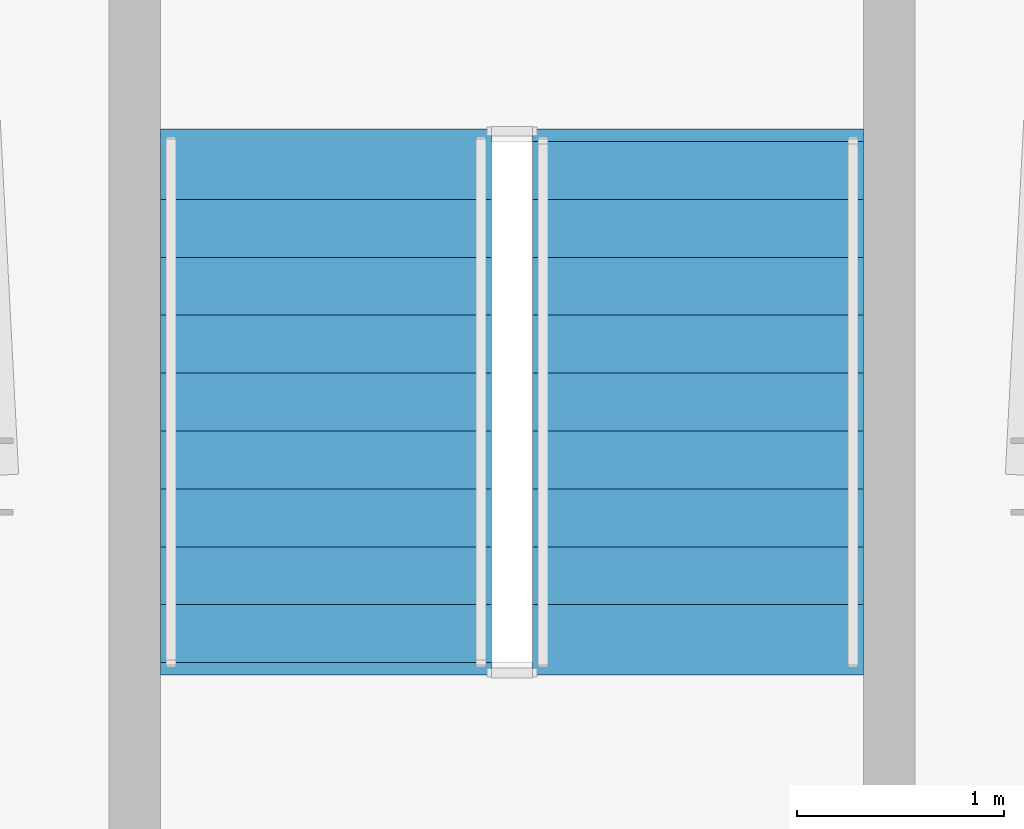
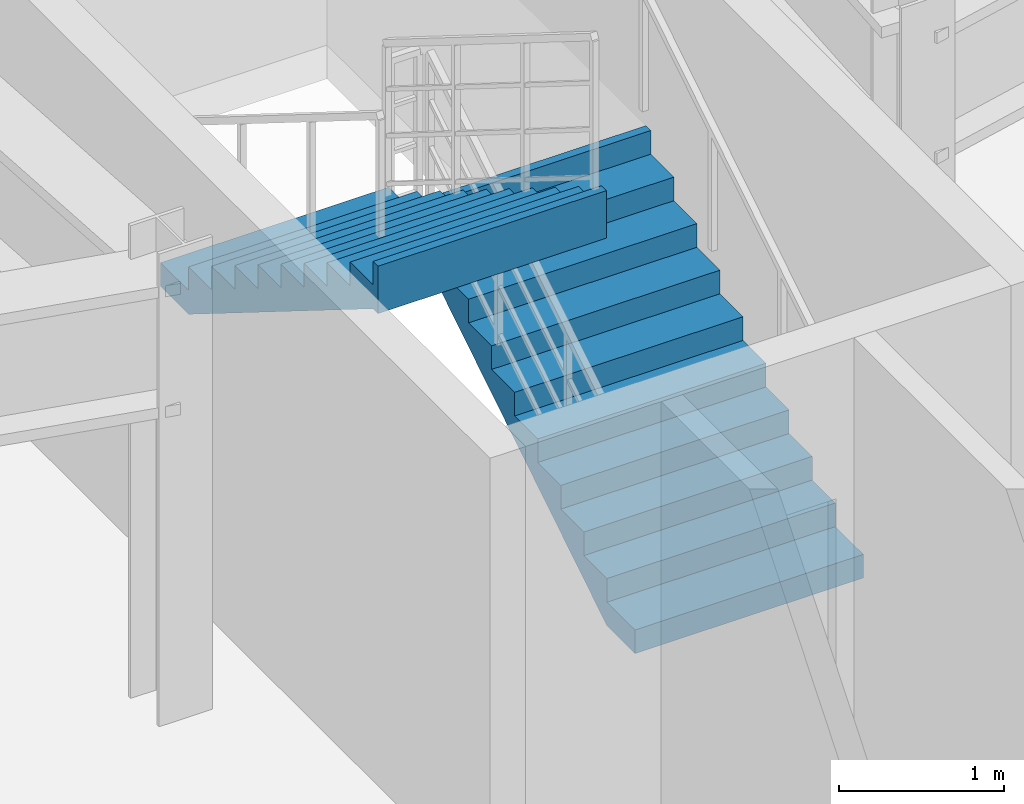
# One storey, part 11 of 12: 2 stair flights, 1 element without a shape of its own.
"""IFC4 building model written with IfcOpenShell, lengths in metres."""

import ifcopenshell
import ifcopenshell.guid

model = None  # the IFC model being written
_history = None  # IfcOwnerHistory: only IFC2X3 demands one
_inside = {}  # id of a spatial element -> (the spatial element, [elements in it])
_under = {}  # id of a project, library or spatial element -> (it, [spatial elements below it])
_declared = {}  # id of a project -> (the project, [libraries it declares])
_typed = {}  # id of a type object -> (the type object, [elements of that type])
_made_of = {}  # id of a material, layer set ... -> (it, [elements and type objects made of it])


def new_model(schema):
    """Start an empty IFC model of exactly this schema.

    Asked for "IFC4X3", IfcOpenShell would pick the latest addendum, in which some entities
    have other attributes; the version numbers below select the first issue.
    IFC2X3 requires an IfcOwnerHistory on every rooted entity: one is made here for all.
    """
    global model, _history
    if schema == "IFC4X3":
        model = ifcopenshell.file(schema_version=(4, 3, 0, 0))
    else:
        model = ifcopenshell.file(schema=schema)
    _inside.clear()
    _under.clear()
    _declared.clear()
    _typed.clear()
    _made_of.clear()
    _history = None
    if model.schema == "IFC2X3":
        org = make("IfcOrganization", Name="unknown")
        user = make(
            "IfcPersonAndOrganization",
            ThePerson=make("IfcPerson", FamilyName="unknown"),
            TheOrganization=org,
        )
        app = make(
            "IfcApplication",
            ApplicationDeveloper=org,
            Version="unknown",
            ApplicationFullName="unknown",
            ApplicationIdentifier="unknown",
        )
        _history = make(
            "IfcOwnerHistory",
            OwningUser=user,
            OwningApplication=app,
            ChangeAction="ADDED",
            CreationDate=0,
        )
    return model


def make(cls, **values):
    """One entity of the class cls with the attributes given. An attribute that is None is left unset."""
    return model.create_entity(
        cls, **{name: value for name, value in values.items() if value is not None}
    )


def rooted(cls, **values):
    """An entity with a GlobalId (a new one), such as an element, a storey or a relation."""
    return make(cls, GlobalId=ifcopenshell.guid.new(), OwnerHistory=_history, **values)


def si_unit(unit_type, name, prefix=None):
    """IfcSIUnit, for example si_unit("LENGTHUNIT", "METRE", prefix="MILLI")."""
    return make("IfcSIUnit", UnitType=unit_type, Prefix=prefix, Name=name)


def assignment(units):
    """IfcUnitAssignment: the units of a project."""
    return None if units is None else make("IfcUnitAssignment", Units=units)


def point(xyz):
    """IfcCartesianPoint."""
    return None if xyz is None else make("IfcCartesianPoint", Coordinates=xyz)


def direction(xyz):
    """IfcDirection."""
    return None if xyz is None else make("IfcDirection", DirectionRatios=xyz)


def frame(location, z_axis=None, x_axis=None):
    """IfcAxis2Placement3D, a coordinate frame: its origin and axes. An axis left out is left unset."""
    return make(
        "IfcAxis2Placement3D",
        Location=point(location),
        Axis=direction(z_axis),
        RefDirection=direction(x_axis),
    )


def origin():
    """The frame at (0, 0, 0) with its axes left unset."""
    return frame((0.0, 0.0, 0.0))


def place(relative_to, where):
    """IfcLocalPlacement: puts the frame where relative to a parent placement (None: the world)."""
    return make(
        "IfcLocalPlacement", PlacementRelTo=relative_to, RelativePlacement=where
    )


def context(
    kind, dimensions, precision=None, world=None, true_north=None, identifier=None
):
    """IfcGeometricRepresentationContext, for example the 3D "Model" context."""
    return make(
        "IfcGeometricRepresentationContext",
        ContextIdentifier=identifier,
        ContextType=kind,
        CoordinateSpaceDimension=dimensions,
        Precision=precision,
        WorldCoordinateSystem=world,
        TrueNorth=true_north,
    )


def subcontext(parent, identifier, kind, view, scale=None):
    """IfcGeometricRepresentationSubContext, for example "Body" below "Model"."""
    return make(
        "IfcGeometricRepresentationSubContext",
        ContextIdentifier=identifier,
        ContextType=kind,
        ParentContext=parent,
        TargetScale=scale,
        TargetView=view,
    )


def project(units=None, contexts=None):
    """IfcProject with its units and contexts."""
    return rooted(
        "IfcProject",
        Name="project",
        RepresentationContexts=contexts,
        UnitsInContext=assignment(units),
    )


def spatial(cls, under=None, at=None, **own):
    """A site, building, storey or space (cls), placed at a placement, below another one or the project."""
    s = rooted(cls, ObjectPlacement=at, **own)
    if under is not None:
        _under.setdefault(under.id(), (under, []))[1].append(s)
    return s


def polyline(points):
    """IfcPolyline through the points."""
    return make("IfcPolyline", Points=[point(p) for p in points])


def outline(outer, holes=None, kind="AREA"):
    """IfcArbitraryClosedProfileDef: a profile drawn as a closed curve; with holes, ...WithVoids."""
    if holes is None:
        return make("IfcArbitraryClosedProfileDef", ProfileType=kind, OuterCurve=outer)
    return make(
        "IfcArbitraryProfileDefWithVoids",
        ProfileType=kind,
        OuterCurve=outer,
        InnerCurves=holes,
    )


def extrude(swept, where, along, depth):
    """IfcExtrudedAreaSolid: the profile swept, set in the frame where, extruded along a direction by depth."""
    return make(
        "IfcExtrudedAreaSolid",
        SweptArea=swept,
        Position=where,
        ExtrudedDirection=direction(along),
        Depth=depth,
    )


def shape(context_of_items, identifier, shape_type, items):
    """IfcShapeRepresentation: the items that make up one representation, for example the "Body"."""
    return make(
        "IfcShapeRepresentation",
        ContextOfItems=context_of_items,
        RepresentationIdentifier=identifier,
        RepresentationType=shape_type,
        Items=items,
    )


def material(Name=None, Category=None):
    """IfcMaterial."""
    return make("IfcMaterial", Name=Name, Category=Category)


def made_of(thing, what):
    """Note that an element or type object is made of a material, layer set ...; save() writes the relation."""
    if what is not None:
        _made_of.setdefault(what.id(), (what, []))[1].append(thing)
    return thing


def type_object(cls, material=None, **own):
    """A type object (cls), such as IfcWallType, which elements share."""
    return made_of(rooted(cls, **own), material)


def element(
    cls,
    number,
    at=None,
    inside=None,
    cuts=None,
    type_object=None,
    material=None,
    context=None,
    identifier="Body",
    shape_type=None,
    held_by="IfcProductDefinitionShape",
    body=None,
    shapes=None,
    **own,
):
    """One element of the class cls, such as IfcWall. Its Tag is "e" and its number.

    at: its placement. inside: the storey or other place that contains it. cuts: it is an
    opening in that element (IfcRelVoidsElement). A single representation is given by context,
    identifier, shape_type and body (its items); several are given by shapes. held_by: the class
    of the entity that holds the representations. save() writes the other relations.
    """
    e = rooted(cls, Tag="e%d" % number, ObjectPlacement=at, **own)
    if body is not None:
        shapes = [shape(context, identifier, shape_type, body)]
    if shapes is not None:
        e.Representation = make(held_by, Representations=shapes)
    if inside is not None:
        _inside.setdefault(inside.id(), (inside, []))[1].append(e)
    if cuts is not None:
        rooted(
            "IfcRelVoidsElement", RelatingBuildingElement=cuts, RelatedOpeningElement=e
        )
    if type_object is not None:
        _typed.setdefault(type_object.id(), (type_object, []))[1].append(e)
    return made_of(e, material)


def aggregate(whole, parts):
    """IfcRelAggregates: a whole, such as a stair, and the parts it consists of."""
    return rooted("IfcRelAggregates", RelatingObject=whole, RelatedObjects=parts)


def save(model, path):
    """Write the relations noted so far, then the file.

    IfcRelAggregates (storeys below a building ...), IfcRelContainedInSpatialStructure (elements
    in a storey), IfcRelDefinesByType, IfcRelAssociatesMaterial and IfcRelDeclares: one each for
    every whole, place, type object, material and project.
    """
    for whole, parts in _under.values():
        aggregate(whole, parts)
    for where, things in _inside.values():
        rooted(
            "IfcRelContainedInSpatialStructure",
            RelatedElements=things,
            RelatingStructure=where,
        )
    for kind, things in _typed.values():
        rooted("IfcRelDefinesByType", RelatedObjects=things, RelatingType=kind)
    for what, things in _made_of.values():
        rooted("IfcRelAssociatesMaterial", RelatedObjects=things, RelatingMaterial=what)
    for by, libraries in _declared.values():
        rooted("IfcRelDeclares", RelatingContext=by, RelatedDefinitions=libraries)
    model.write(path)


model = new_model("IFC4")

# Units and contexts
model_context = context("Model", 3, precision=1e-05, world=origin(), true_north=direction((0.0, 1.0)))
body_context = subcontext(model_context, "Body", "Model", "MODEL_VIEW")
ifc_project = project(units=[si_unit("LENGTHUNIT", "METRE"), si_unit("AREAUNIT", "SQUARE_METRE"), si_unit("VOLUMEUNIT", "CUBIC_METRE"), si_unit("PLANEANGLEUNIT", "RADIAN"), si_unit("MASSUNIT", "GRAM", prefix="KILO")], contexts=[model_context])

# Site, building, storey
site_placement = place(None, origin())
site = spatial("IfcSite", under=ifc_project, at=site_placement, CompositionType="ELEMENT")
building_placement = place(site_placement, origin())
building = spatial("IfcBuilding", under=site, at=building_placement, Name="Varakhsha Concourse Tower", CompositionType="ELEMENT")
storey_placement = place(building_placement, frame((0.0, 0.0, 222.39990234375)))
storey = spatial("IfcBuildingStorey", under=building, at=storey_placement, Name="L63", CompositionType="ELEMENT", Elevation=222.39990234375)

# Stair, stair flights
ifc_material = material(Name="Concrete fc 45 MPa", Category="concrete")
stair_type = type_object("IfcStairType", Name="ST-DOGLEG-1600", PredefinedType="HALF_TURN_STAIR", material=ifc_material)
stair_placement = place(storey_placement, origin())
stair = element("IfcStair", 1, at=stair_placement, inside=storey, type_object=stair_type, Name="L63 Protected Exit Stair ST5", PredefinedType="HALF_TURN_STAIR")
stair_flight_type = type_object("IfcStairFlightType", Name="STF-1600-R1750", PredefinedType="STRAIGHT", material=ifc_material)
stair_flight_1_placement = place(storey_placement, frame((40.89990234375, 40.300048828125, 0.0), z_axis=(0.0, 0.0, 1.0), x_axis=(0.0, 1.0, 0.0)))
stair_flight_1 = element("IfcStairFlight", 2, at=stair_flight_1_placement, type_object=stair_flight_type, Name="ST5 flight 1", NumberOfRisers=10, NumberOfTreads=9, PredefinedType="STRAIGHT", RiserHeight=0.175, TreadLength=0.28, context=body_context, shape_type="SweptSolid", body=[
    extrude(outline(polyline([(-0.06005859375, 0.0), (-0.06005859375, 0.175048828125), (0.0, 0.175048828125), (0.280029296875, 0.175048828125), (0.280029296875, 0.35009765625), (0.56005859375, 0.35009765625), (0.56005859375, 0.52490234375), (0.840087890625, 0.52490234375), (0.840087890625, 0.699951171875), (1.1201171875, 0.699951171875), (1.1201171875, 0.875), (1.39990234375, 0.875), (1.39990234375, 1.050048828125), (1.679931640625, 1.050048828125), (1.679931640625, 1.22509765625), (1.9599609375, 1.22509765625), (1.9599609375, 1.39990234375), (2.239990234375, 1.39990234375), (2.239990234375, 1.574951171875), (2.52001953125, 1.574951171875), (2.52001953125, 1.75), (2.580078125, 1.75), (2.580078125, 1.398193359375), (2.52001953125, 1.398193359375), (0.28271484375, 0.0), (-0.06005859375, 0.0)])), frame((0.0, 0.800048828125, 0.0), z_axis=(0.0, -1.0, 0.0), x_axis=(1.0, 0.0, 0.0)), (0.0, 0.0, 1.0), 1.60009765625),
])
stair_flight_2_placement = place(storey_placement, frame((39.10009765625, 42.820068359375, 1.75), z_axis=(0.0, 0.0, 1.0), x_axis=(0.0, -1.0, 0.0)))
stair_flight_2 = element("IfcStairFlight", 3, at=stair_flight_2_placement, type_object=stair_flight_type, Name="ST5 flight 2", NumberOfRisers=10, NumberOfTreads=9, PredefinedType="STRAIGHT", RiserHeight=0.175, TreadLength=0.28, context=body_context, shape_type="SweptSolid", body=[
    extrude(outline(polyline([(-0.06005859375, 0.0), (-0.06005859375, 0.175048828125), (0.0, 0.175048828125), (0.280029296875, 0.175048828125), (0.280029296875, 0.35009765625), (0.56005859375, 0.35009765625), (0.56005859375, 0.52490234375), (0.840087890625, 0.52490234375), (0.840087890625, 0.699951171875), (1.1201171875, 0.699951171875), (1.1201171875, 0.875), (1.39990234375, 0.875), (1.39990234375, 1.050048828125), (1.679931640625, 1.050048828125), (1.679931640625, 1.22509765625), (1.9599609375, 1.22509765625), (1.9599609375, 1.39990234375), (2.239990234375, 1.39990234375), (2.239990234375, 1.574951171875), (2.52001953125, 1.574951171875), (2.52001953125, 1.75), (2.580078125, 1.75), (2.580078125, 1.398193359375), (2.52001953125, 1.398193359375), (0.28271484375, 0.0), (-0.06005859375, 0.0)])), frame((0.0, 0.800048828125, 0.0), z_axis=(0.0, -1.0, 0.0), x_axis=(1.0, 0.0, 0.0)), (0.0, 0.0, 1.0), 1.60009765625),
])
aggregate(stair, [stair_flight_1, stair_flight_2])

save(model, "model.ifc")
